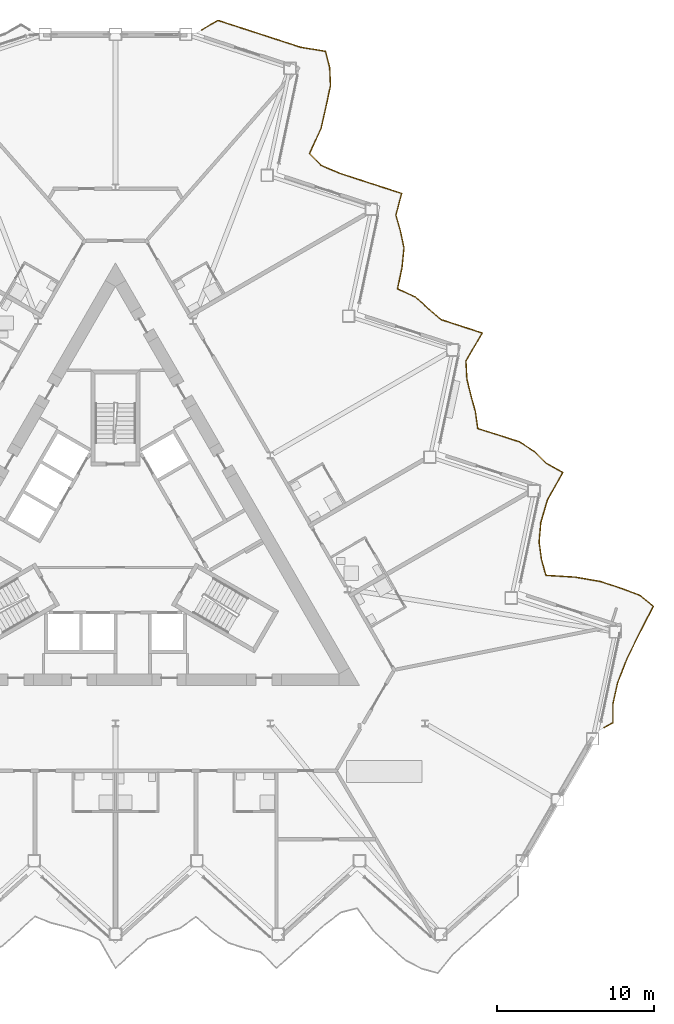
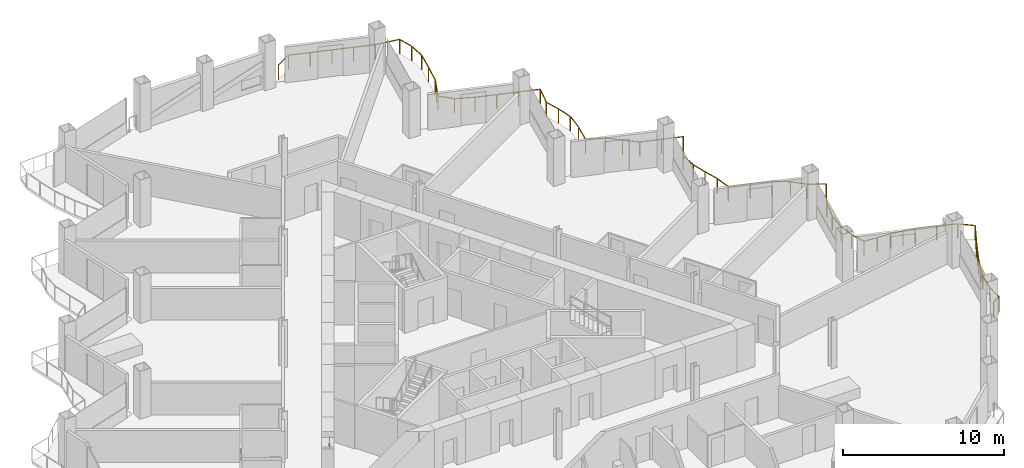
# One storey, part 21 of 23: 1 railing.
"""IFC4 building model written with IfcOpenShell, lengths in metres."""

from ifc_helpers import new_model, si_unit, direction, frame, origin, origin_2d, place, context, subcontext, project, spatial, circle, extrude, material, type_object, element, save


model = new_model("IFC4")

# Units and contexts
model_context = context("Model", 3, precision=1e-05, world=origin(), true_north=direction((0.0, 1.0)))
body_context = subcontext(model_context, "Body", "Model", "MODEL_VIEW")
ifc_project = project(units=[si_unit("LENGTHUNIT", "METRE"), si_unit("AREAUNIT", "SQUARE_METRE"), si_unit("VOLUMEUNIT", "CUBIC_METRE"), si_unit("PLANEANGLEUNIT", "RADIAN"), si_unit("MASSUNIT", "GRAM", prefix="KILO")], contexts=[model_context])

# Site, building, storey
site_placement = place(None, origin())
site = spatial("IfcSite", under=ifc_project, at=site_placement, CompositionType="ELEMENT")
building_placement = place(site_placement, origin())
building = spatial("IfcBuilding", under=site, at=building_placement, Name="Cormorant Prow Tower", CompositionType="ELEMENT")
storey_placement = place(building_placement, frame((0.0, 0.0, 172.800048828125)))
storey = spatial("IfcBuildingStorey", under=building, at=storey_placement, Name="L36", CompositionType="ELEMENT", Elevation=172.800048828125)

# Railing
ifc_material = material(Name="Aluminium 6063-T6", Category="aluminium")
railing_type = type_object("IfcRailingType", Name="Balcony guard 1100", PredefinedType="GUARDRAIL", material=ifc_material)
railing_placement = place(storey_placement, frame((31.031494140625, -11.619384765625, 0.0)))
element("IfcRailing", 1, at=railing_placement, inside=storey, type_object=railing_type, Name="Balcony guard ENE", PredefinedType="GUARDRAIL", context=body_context, shape_type="SweptSolid", body=[
    extrude(circle(Radius=0.02392578125, at=origin_2d()), frame((0.0, 0.0, 1.076171875), z_axis=(0.866204753408, 0.499689228594, 0.0), x_axis=(-0.499689228594, 0.866204753408, 0.0)), (0.0, 0.0, 1.0), 0.63623046875),
    extrude(circle(Radius=0.02392578125, at=origin_2d()), frame((0.551025390625, 0.31787109375, 1.076171875), z_axis=(0.001238900557, 0.999999232562, 0.0), x_axis=(-0.999999232562, 0.001238900557, 0.0)), (0.0, 0.0, 1.0), 1.182373046875),
    extrude(circle(Radius=0.02392578125, at=origin_2d()), frame((0.552490234375, 1.500244140625, 1.076171875), z_axis=(0.216837353632, 0.976207745344, 0.0), x_axis=(-0.976207745344, 0.216837353632, 0.0)), (0.0, 0.0, 1.0), 1.38818359375),
    extrude(circle(Radius=0.02392578125, at=origin_2d()), frame((0.853515625, 2.85546875, 1.076171875), z_axis=(0.363977820043, 0.931407615664, 0.0), x_axis=(-0.931407615664, 0.363977820043, 0.0)), (0.0, 0.0, 1.0), 1.637939453125),
    extrude(circle(Radius=0.02392578125, at=origin_2d()), frame((1.44970703125, 4.381103515625, 1.076171875), z_axis=(0.438820275915, 0.898574852444, 0.0), x_axis=(-0.898574852444, 0.438820275915, 0.0)), (0.0, 0.0, 1.0), 1.8310546875),
    extrude(circle(Radius=0.02392578125, at=origin_2d()), frame((2.253173828125, 6.0263671875, 1.076171875), z_axis=(0.456909757703, 0.889513054045, 0.0), x_axis=(-0.889513054045, 0.456909757703, 0.0)), (0.0, 0.0, 1.0), 1.888427734375),
    extrude(circle(Radius=0.02392578125, at=origin_2d()), frame((3.115966796875, 7.7060546875, 1.076171875), z_axis=(-0.768643216156, 0.639677736253, 0.0), x_axis=(-0.639677736253, -0.768643216156, 0.0)), (0.0, 0.0, 1.0), 1.09033203125),
    extrude(circle(Radius=0.02392578125, at=origin_2d()), frame((2.27783203125, 8.403564453125, 1.076171875), z_axis=(-0.936101707301, 0.351729432361, 0.0), x_axis=(-0.351729432361, -0.936101707301, 0.0)), (0.0, 0.0, 1.0), 1.324462890625),
    extrude(circle(Radius=0.02392578125, at=origin_2d()), frame((1.0380859375, 8.869384765625, 1.076171875), z_axis=(-0.951084882537, 0.308929678422, 0.0), x_axis=(-0.308929678422, -0.951084882537, 0.0)), (0.0, 0.0, 1.0), 1.376708984375),
    extrude(circle(Radius=0.02392578125, at=origin_2d()), frame((-0.271240234375, 9.294677734375, 1.076171875), z_axis=(-0.985748137908, 0.16822784731, 0.0), x_axis=(-0.16822784731, -0.985748137908, 0.0)), (0.0, 0.0, 1.0), 1.602294921875),
    extrude(circle(Radius=0.02392578125, at=origin_2d()), frame((-1.8505859375, 9.564208984375, 1.076171875), z_axis=(-0.998130705632, 0.061115419294, 0.0), x_axis=(-0.061115419294, -0.998130705632, 0.0)), (0.0, 0.0, 1.0), 1.853515625),
    extrude(circle(Radius=0.02392578125, at=origin_2d()), frame((-3.70068359375, 9.677490234375, 1.076171875), z_axis=(-0.267512799618, 0.963554306742, 0.0), x_axis=(-0.963554306742, -0.267512799618, 0.0)), (0.0, 0.0, 1.0), 1.056884765625),
    extrude(circle(Radius=0.02392578125, at=origin_2d()), frame((-3.9833984375, 10.69580078125, 1.076171875), z_axis=(-0.134246078402, 0.990948026101, 0.0), x_axis=(-0.990948026101, -0.134246078402, 0.0)), (0.0, 0.0, 1.0), 1.105712890625),
    extrude(circle(Radius=0.02392578125, at=origin_2d()), frame((-4.1318359375, 11.79150390625, 1.076171875), z_axis=(0.087734135506, 0.99614392608, 0.0), x_axis=(-0.99614392608, 0.087734135506, 0.0)), (0.0, 0.0, 1.0), 1.24951171875),
    extrude(circle(Radius=0.02392578125, at=origin_2d()), frame((-4.022216796875, 13.0361328125, 1.076171875), z_axis=(0.281996979435, 0.959415292556, 0.0), x_axis=(-0.959415292556, 0.281996979435, 0.0)), (0.0, 0.0, 1.0), 1.483154296875),
    extrude(circle(Radius=0.02392578125, at=origin_2d()), frame((-3.60400390625, 14.458984375, 1.076171875), z_axis=(0.488149709295, 0.872759910465, 0.0), x_axis=(-0.872759910465, 0.488149709295, 0.0)), (0.0, 0.0, 1.0), 1.99951171875),
    extrude(circle(Radius=0.02392578125, at=origin_2d()), frame((-2.6279296875, 16.2041015625, 1.076171875), z_axis=(-0.872019132688, 0.489471789, 0.0), x_axis=(-0.489471789, -0.872019132688, 0.0)), (0.0, 0.0, 1.0), 1.189697265625),
    extrude(circle(Radius=0.02392578125, at=origin_2d()), frame((-3.665283203125, 16.786376953125, 1.076171875), z_axis=(-0.710893849194, 0.703299321184, 0.0), x_axis=(-0.703299321184, -0.710893849194, 0.0)), (0.0, 0.0, 1.0), 1.060791015625),
    extrude(circle(Radius=0.02392578125, at=origin_2d()), frame((-4.41943359375, 17.532470703125, 1.076171875), z_axis=(-0.840854315224, 0.541261508487, 0.0), x_axis=(-0.541261508487, -0.840854315224, 0.0)), (0.0, 0.0, 1.0), 1.150634765625),
    extrude(circle(Radius=0.02392578125, at=origin_2d()), frame((-5.386962890625, 18.1552734375, 1.076171875), z_axis=(-0.951032765546, 0.309090082108, 0.0), x_axis=(-0.309090082108, -0.951032765546, 0.0)), (0.0, 0.0, 1.0), 1.376708984375),
    extrude(circle(Radius=0.02392578125, at=origin_2d()), frame((-6.6962890625, 18.580810546875, 1.076171875), z_axis=(-0.954367449084, 0.298634847478, 0.0), x_axis=(-0.298634847478, -0.954367449084, 0.0)), (0.0, 0.0, 1.0), 1.390625),
    extrude(circle(Radius=0.02392578125, at=origin_2d()), frame((-8.0234375, 18.99609375, 1.076171875), z_axis=(-0.142227709414, 0.989833965206, 0.0), x_axis=(-0.989833965206, -0.142227709414, 0.0)), (0.0, 0.0, 1.0), 1.10205078125),
    extrude(circle(Radius=0.02392578125, at=origin_2d()), frame((-8.18017578125, 20.0869140625, 1.076171875), z_axis=(-0.269741378874, 0.962932805819, 0.0), x_axis=(-0.962932805819, -0.269741378874, 0.0)), (0.0, 0.0, 1.0), 1.05615234375),
    extrude(circle(Radius=0.02392578125, at=origin_2d()), frame((-8.465087890625, 21.10400390625, 1.076171875), z_axis=(-0.234394392952, 0.972141588737, 0.0), x_axis=(-0.972141588737, -0.234394392952, 0.0)), (0.0, 0.0, 1.0), 1.066650390625),
    extrude(circle(Radius=0.02392578125, at=origin_2d()), frame((-8.715087890625, 22.140869140625, 1.076171875), z_axis=(-0.053831909847, 0.998550011508, 0.0), x_axis=(-0.998550011508, -0.053831909847, 0.0)), (0.0, 0.0, 1.0), 1.1474609375),
    extrude(circle(Radius=0.02392578125, at=origin_2d()), frame((-8.77685546875, 23.28662109375, 1.076171875), z_axis=(0.5024161652, 0.864625928911, 0.0), x_axis=(-0.864625928911, 0.5024161652, 0.0)), (0.0, 0.0, 1.0), 2.056396484375),
    extrude(circle(Radius=0.02392578125, at=origin_2d()), frame((-7.74365234375, 25.064697265625, 1.076171875), z_axis=(-0.951084882537, 0.308929678422, 0.0), x_axis=(-0.308929678422, -0.951084882537, 0.0)), (0.0, 0.0, 1.0), 1.376708984375),
    extrude(circle(Radius=0.02392578125, at=origin_2d()), frame((-9.052978515625, 25.489990234375, 1.076171875), z_axis=(-0.951032765546, 0.309090082108, 0.0), x_axis=(-0.309090082108, -0.951032765546, 0.0)), (0.0, 0.0, 1.0), 1.376708984375),
    extrude(circle(Radius=0.02392578125, at=origin_2d()), frame((-10.3623046875, 25.91552734375, 1.076171875), z_axis=(-0.755391403795, 0.655273856546, 0.0), x_axis=(-0.655273856546, -0.755391403795, 0.0)), (0.0, 0.0, 1.0), 1.082763671875),
    extrude(circle(Radius=0.02392578125, at=origin_2d()), frame((-11.18017578125, 26.625, 1.076171875), z_axis=(-0.742288433419, 0.67008050383, 0.0), x_axis=(-0.67008050383, -0.742288433419, 0.0)), (0.0, 0.0, 1.0), 1.0751953125),
    extrude(circle(Radius=0.02392578125, at=origin_2d()), frame((-11.978271484375, 27.345458984375, 1.076171875), z_axis=(-0.909793302603, 0.415061617762, 0.0), x_axis=(-0.415061617762, -0.909793302603, 0.0)), (0.0, 0.0, 1.0), 1.25634765625),
    extrude(circle(Radius=0.02392578125, at=origin_2d()), frame((-13.121337890625, 27.866943359375, 1.076171875), z_axis=(0.207833305176, 0.978164258834, 0.0), x_axis=(-0.978164258834, 0.207833305176, 0.0)), (0.0, 0.0, 1.0), 1.376708984375),
    extrude(circle(Radius=0.02392578125, at=origin_2d()), frame((-12.835205078125, 29.213623046875, 1.076171875), z_axis=(0.099407789169, 0.995046778525, 0.0), x_axis=(-0.995046778525, 0.099407789169, 0.0)), (0.0, 0.0, 1.0), 1.260009765625),
    extrude(circle(Radius=0.02392578125, at=origin_2d()), frame((-12.7099609375, 30.46728515625, 1.076171875), z_axis=(-0.207405502784, 0.978255057444, 0.0), x_axis=(-0.978255057444, -0.207405502784, 0.0)), (0.0, 0.0, 1.0), 1.075927734375),
    extrude(circle(Radius=0.02392578125, at=origin_2d()), frame((-12.93310546875, 31.519775390625, 1.076171875), z_axis=(-0.27621920783, 0.961094661948, 0.0), x_axis=(-0.961094661948, -0.27621920783, 0.0)), (0.0, 0.0, 1.0), 1.054443359375),
    extrude(circle(Radius=0.02392578125, at=origin_2d()), frame((-13.224365234375, 32.533203125, 1.076171875), z_axis=(0.253616412418, 0.967304871978, 0.0), x_axis=(-0.967304871978, 0.253616412418, 0.0)), (0.0, 0.0, 1.0), 1.439208984375),
    extrude(circle(Radius=0.02392578125, at=origin_2d()), frame((-12.859375, 33.92529296875, 1.076171875), z_axis=(-0.951032765546, 0.309090082108, 0.0), x_axis=(-0.309090082108, -0.951032765546, 0.0)), (0.0, 0.0, 1.0), 1.376708984375),
    extrude(circle(Radius=0.02392578125, at=origin_2d()), frame((-14.168701171875, 34.350830078125, 1.076171875), z_axis=(-0.951084882537, 0.308929678422, 0.0), x_axis=(-0.308929678422, -0.951084882537, 0.0)), (0.0, 0.0, 1.0), 1.376708984375),
    extrude(circle(Radius=0.02392578125, at=origin_2d()), frame((-15.47802734375, 34.776123046875, 1.076171875), z_axis=(-0.951032765546, 0.309090082108, 0.0), x_axis=(-0.309090082108, -0.951032765546, 0.0)), (0.0, 0.0, 1.0), 1.376708984375),
    extrude(circle(Radius=0.02392578125, at=origin_2d()), frame((-16.787353515625, 35.20166015625, 1.076171875), z_axis=(-0.920548561993, 0.390628141603, 0.0), x_axis=(-0.390628141603, -0.920548561993, 0.0)), (0.0, 0.0, 1.0), 1.28125),
    extrude(circle(Radius=0.02392578125, at=origin_2d()), frame((-17.966796875, 35.7021484375, 1.076171875), z_axis=(-0.698618454401, 0.715494413095, 0.0), x_axis=(-0.715494413095, -0.698618454401, 0.0)), (0.0, 0.0, 1.0), 1.05615234375),
    extrude(circle(Radius=0.02392578125, at=origin_2d()), frame((-18.70458984375, 36.457763671875, 1.076171875), z_axis=(0.41513789658, 0.909758499176, 0.0), x_axis=(-0.909758499176, 0.41513789658, 0.0)), (0.0, 0.0, 1.0), 1.76318359375),
    extrude(circle(Radius=0.02392578125, at=origin_2d()), frame((-17.97265625, 38.061767578125, 1.076171875), z_axis=(0.221083468792, 0.975254889671, 0.0), x_axis=(-0.975254889671, 0.221083468792, 0.0)), (0.0, 0.0, 1.0), 1.3935546875),
    extrude(circle(Radius=0.02392578125, at=origin_2d()), frame((-17.66455078125, 39.4208984375, 1.076171875), z_axis=(0.208002968159, 0.978128194685, 0.0), x_axis=(-0.978128194685, 0.208002968159, 0.0)), (0.0, 0.0, 1.0), 1.376708984375),
    extrude(circle(Radius=0.02392578125, at=origin_2d()), frame((-17.378173828125, 40.767578125, 1.076171875), z_axis=(-0.042950586858, 0.999077197762, 0.0), x_axis=(-0.999077197762, -0.042950586858, 0.0)), (0.0, 0.0, 1.0), 1.15380859375),
    extrude(circle(Radius=0.02392578125, at=origin_2d()), frame((-17.427734375, 41.92041015625, 1.076171875), z_axis=(-0.252646693234, 0.967558602048, 0.0), x_axis=(-0.967558602048, -0.252646693234, 0.0)), (0.0, 0.0, 1.0), 1.06103515625),
    extrude(circle(Radius=0.02392578125, at=origin_2d()), frame((-17.69580078125, 42.947021484375, 1.076171875), z_axis=(-0.986430773558, 0.16417773594, 0.0), x_axis=(-0.16417773594, -0.986430773558, 0.0)), (0.0, 0.0, 1.0), 1.610595703125),
    extrude(circle(Radius=0.02392578125, at=origin_2d()), frame((-19.284423828125, 43.21142578125, 1.076171875), z_axis=(-0.951032765546, 0.309090082108, 0.0), x_axis=(-0.309090082108, -0.951032765546, 0.0)), (0.0, 0.0, 1.0), 1.376708984375),
    extrude(circle(Radius=0.02392578125, at=origin_2d()), frame((-20.59375, 43.636962890625, 1.076171875), z_axis=(-0.951032765546, 0.309090082108, 0.0), x_axis=(-0.309090082108, -0.951032765546, 0.0)), (0.0, 0.0, 1.0), 1.376708984375),
    extrude(circle(Radius=0.02392578125, at=origin_2d()), frame((-21.903076171875, 44.0625, 1.076171875), z_axis=(-0.951084882537, 0.308929678422, 0.0), x_axis=(-0.308929678422, -0.951084882537, 0.0)), (0.0, 0.0, 1.0), 1.376708984375),
    extrude(circle(Radius=0.02392578125, at=origin_2d()), frame((-23.21240234375, 44.48779296875, 1.076171875), z_axis=(-0.951101803336, 0.308877580427, 0.0), x_axis=(-0.308877580427, -0.951101803336, 0.0)), (0.0, 0.0, 1.0), 1.376953125),
    extrude(circle(Radius=0.02392578125, at=origin_2d()), frame((-24.52197265625, 44.9130859375, 1.076171875), z_axis=(-0.866092288191, -0.499884134912, 0.0), x_axis=(0.499884134912, -0.866092288191, 0.0)), (0.0, 0.0, 1.0), 1.219970703125),
    extrude(circle(Radius=0.02099609375, at=origin_2d()), origin(), (0.0, 0.0, 1.0), 1.052001953125),
    extrude(circle(Radius=0.02099609375, at=origin_2d()), frame((0.551025390625, 0.31787109375, 0.0)), (0.0, 0.0, 1.0), 1.052001953125),
    extrude(circle(Radius=0.02099609375, at=origin_2d()), frame((0.552490234375, 1.500244140625, 0.0)), (0.0, 0.0, 1.0), 1.052001953125),
    extrude(circle(Radius=0.02099609375, at=origin_2d()), frame((0.853515625, 2.85546875, 0.0)), (0.0, 0.0, 1.0), 1.052001953125),
    extrude(circle(Radius=0.02099609375, at=origin_2d()), frame((1.151611328125, 3.6181640625, 0.0)), (0.0, 0.0, 1.0), 1.052001953125),
    extrude(circle(Radius=0.02099609375, at=origin_2d()), frame((1.44970703125, 4.381103515625, 0.0)), (0.0, 0.0, 1.0), 1.052001953125),
    extrude(circle(Radius=0.02099609375, at=origin_2d()), frame((1.8515625, 5.20361328125, 0.0)), (0.0, 0.0, 1.0), 1.052001953125),
    extrude(circle(Radius=0.02099609375, at=origin_2d()), frame((2.253173828125, 6.0263671875, 0.0)), (0.0, 0.0, 1.0), 1.052001953125),
    extrude(circle(Radius=0.02099609375, at=origin_2d()), frame((2.6845703125, 6.8662109375, 0.0)), (0.0, 0.0, 1.0), 1.052001953125),
    extrude(circle(Radius=0.02099609375, at=origin_2d()), frame((3.115966796875, 7.7060546875, 0.0)), (0.0, 0.0, 1.0), 1.052001953125),
    extrude(circle(Radius=0.02099609375, at=origin_2d()), frame((2.27783203125, 8.403564453125, 0.0)), (0.0, 0.0, 1.0), 1.052001953125),
    extrude(circle(Radius=0.02099609375, at=origin_2d()), frame((1.0380859375, 8.869384765625, 0.0)), (0.0, 0.0, 1.0), 1.052001953125),
    extrude(circle(Radius=0.02099609375, at=origin_2d()), frame((-0.271240234375, 9.294677734375, 0.0)), (0.0, 0.0, 1.0), 1.052001953125),
    extrude(circle(Radius=0.02099609375, at=origin_2d()), frame((-1.06103515625, 9.429443359375, 0.0)), (0.0, 0.0, 1.0), 1.052001953125),
    extrude(circle(Radius=0.02099609375, at=origin_2d()), frame((-1.8505859375, 9.564208984375, 0.0)), (0.0, 0.0, 1.0), 1.052001953125),
    extrude(circle(Radius=0.02099609375, at=origin_2d()), frame((-2.775634765625, 9.620849609375, 0.0)), (0.0, 0.0, 1.0), 1.052001953125),
    extrude(circle(Radius=0.02099609375, at=origin_2d()), frame((-3.70068359375, 9.677490234375, 0.0)), (0.0, 0.0, 1.0), 1.052001953125),
    extrude(circle(Radius=0.02099609375, at=origin_2d()), frame((-3.9833984375, 10.69580078125, 0.0)), (0.0, 0.0, 1.0), 1.052001953125),
    extrude(circle(Radius=0.02099609375, at=origin_2d()), frame((-4.1318359375, 11.79150390625, 0.0)), (0.0, 0.0, 1.0), 1.052001953125),
    extrude(circle(Radius=0.02099609375, at=origin_2d()), frame((-4.022216796875, 13.0361328125, 0.0)), (0.0, 0.0, 1.0), 1.052001953125),
    extrude(circle(Radius=0.02099609375, at=origin_2d()), frame((-3.60400390625, 14.458984375, 0.0)), (0.0, 0.0, 1.0), 1.052001953125),
    extrude(circle(Radius=0.02099609375, at=origin_2d()), frame((-3.115966796875, 15.33154296875, 0.0)), (0.0, 0.0, 1.0), 1.052001953125),
    extrude(circle(Radius=0.02099609375, at=origin_2d()), frame((-2.6279296875, 16.2041015625, 0.0)), (0.0, 0.0, 1.0), 1.052001953125),
    extrude(circle(Radius=0.02099609375, at=origin_2d()), frame((-3.665283203125, 16.786376953125, 0.0)), (0.0, 0.0, 1.0), 1.052001953125),
    extrude(circle(Radius=0.02099609375, at=origin_2d()), frame((-4.41943359375, 17.532470703125, 0.0)), (0.0, 0.0, 1.0), 1.052001953125),
    extrude(circle(Radius=0.02099609375, at=origin_2d()), frame((-5.386962890625, 18.1552734375, 0.0)), (0.0, 0.0, 1.0), 1.052001953125),
    extrude(circle(Radius=0.02099609375, at=origin_2d()), frame((-6.6962890625, 18.580810546875, 0.0)), (0.0, 0.0, 1.0), 1.052001953125),
    extrude(circle(Radius=0.02099609375, at=origin_2d()), frame((-8.0234375, 18.99609375, 0.0)), (0.0, 0.0, 1.0), 1.052001953125),
    extrude(circle(Radius=0.02099609375, at=origin_2d()), frame((-8.18017578125, 20.0869140625, 0.0)), (0.0, 0.0, 1.0), 1.052001953125),
    extrude(circle(Radius=0.02099609375, at=origin_2d()), frame((-8.465087890625, 21.10400390625, 0.0)), (0.0, 0.0, 1.0), 1.052001953125),
    extrude(circle(Radius=0.02099609375, at=origin_2d()), frame((-8.715087890625, 22.140869140625, 0.0)), (0.0, 0.0, 1.0), 1.052001953125),
    extrude(circle(Radius=0.02099609375, at=origin_2d()), frame((-8.77685546875, 23.28662109375, 0.0)), (0.0, 0.0, 1.0), 1.052001953125),
    extrude(circle(Radius=0.02099609375, at=origin_2d()), frame((-8.26025390625, 24.17578125, 0.0)), (0.0, 0.0, 1.0), 1.052001953125),
    extrude(circle(Radius=0.02099609375, at=origin_2d()), frame((-7.74365234375, 25.064697265625, 0.0)), (0.0, 0.0, 1.0), 1.052001953125),
    extrude(circle(Radius=0.02099609375, at=origin_2d()), frame((-9.052978515625, 25.489990234375, 0.0)), (0.0, 0.0, 1.0), 1.052001953125),
    extrude(circle(Radius=0.02099609375, at=origin_2d()), frame((-10.3623046875, 25.91552734375, 0.0)), (0.0, 0.0, 1.0), 1.052001953125),
    extrude(circle(Radius=0.02099609375, at=origin_2d()), frame((-11.18017578125, 26.625, 0.0)), (0.0, 0.0, 1.0), 1.052001953125),
    extrude(circle(Radius=0.02099609375, at=origin_2d()), frame((-11.978271484375, 27.345458984375, 0.0)), (0.0, 0.0, 1.0), 1.052001953125),
    extrude(circle(Radius=0.02099609375, at=origin_2d()), frame((-13.121337890625, 27.866943359375, 0.0)), (0.0, 0.0, 1.0), 1.052001953125),
    extrude(circle(Radius=0.02099609375, at=origin_2d()), frame((-12.835205078125, 29.213623046875, 0.0)), (0.0, 0.0, 1.0), 1.052001953125),
    extrude(circle(Radius=0.02099609375, at=origin_2d()), frame((-12.7099609375, 30.46728515625, 0.0)), (0.0, 0.0, 1.0), 1.052001953125),
    extrude(circle(Radius=0.02099609375, at=origin_2d()), frame((-12.93310546875, 31.519775390625, 0.0)), (0.0, 0.0, 1.0), 1.052001953125),
    extrude(circle(Radius=0.02099609375, at=origin_2d()), frame((-13.224365234375, 32.533203125, 0.0)), (0.0, 0.0, 1.0), 1.052001953125),
    extrude(circle(Radius=0.02099609375, at=origin_2d()), frame((-12.859375, 33.92529296875, 0.0)), (0.0, 0.0, 1.0), 1.052001953125),
    extrude(circle(Radius=0.02099609375, at=origin_2d()), frame((-14.168701171875, 34.350830078125, 0.0)), (0.0, 0.0, 1.0), 1.052001953125),
    extrude(circle(Radius=0.02099609375, at=origin_2d()), frame((-15.47802734375, 34.776123046875, 0.0)), (0.0, 0.0, 1.0), 1.052001953125),
    extrude(circle(Radius=0.02099609375, at=origin_2d()), frame((-16.787353515625, 35.20166015625, 0.0)), (0.0, 0.0, 1.0), 1.052001953125),
    extrude(circle(Radius=0.02099609375, at=origin_2d()), frame((-17.966796875, 35.7021484375, 0.0)), (0.0, 0.0, 1.0), 1.052001953125),
    extrude(circle(Radius=0.02099609375, at=origin_2d()), frame((-18.70458984375, 36.457763671875, 0.0)), (0.0, 0.0, 1.0), 1.052001953125),
    extrude(circle(Radius=0.02099609375, at=origin_2d()), frame((-18.338623046875, 37.259765625, 0.0)), (0.0, 0.0, 1.0), 1.052001953125),
    extrude(circle(Radius=0.02099609375, at=origin_2d()), frame((-17.97265625, 38.061767578125, 0.0)), (0.0, 0.0, 1.0), 1.052001953125),
    extrude(circle(Radius=0.02099609375, at=origin_2d()), frame((-17.66455078125, 39.4208984375, 0.0)), (0.0, 0.0, 1.0), 1.052001953125),
    extrude(circle(Radius=0.02099609375, at=origin_2d()), frame((-17.378173828125, 40.767578125, 0.0)), (0.0, 0.0, 1.0), 1.052001953125),
    extrude(circle(Radius=0.02099609375, at=origin_2d()), frame((-17.427734375, 41.92041015625, 0.0)), (0.0, 0.0, 1.0), 1.052001953125),
    extrude(circle(Radius=0.02099609375, at=origin_2d()), frame((-17.69580078125, 42.947021484375, 0.0)), (0.0, 0.0, 1.0), 1.052001953125),
    extrude(circle(Radius=0.02099609375, at=origin_2d()), frame((-18.490234375, 43.0791015625, 0.0)), (0.0, 0.0, 1.0), 1.052001953125),
    extrude(circle(Radius=0.02099609375, at=origin_2d()), frame((-19.284423828125, 43.21142578125, 0.0)), (0.0, 0.0, 1.0), 1.052001953125),
    extrude(circle(Radius=0.02099609375, at=origin_2d()), frame((-20.59375, 43.636962890625, 0.0)), (0.0, 0.0, 1.0), 1.052001953125),
    extrude(circle(Radius=0.02099609375, at=origin_2d()), frame((-21.903076171875, 44.0625, 0.0)), (0.0, 0.0, 1.0), 1.052001953125),
    extrude(circle(Radius=0.02099609375, at=origin_2d()), frame((-23.21240234375, 44.48779296875, 0.0)), (0.0, 0.0, 1.0), 1.052001953125),
    extrude(circle(Radius=0.02099609375, at=origin_2d()), frame((-24.52197265625, 44.9130859375, 0.0)), (0.0, 0.0, 1.0), 1.052001953125),
    extrude(circle(Radius=0.02099609375, at=origin_2d()), frame((-25.57861328125, 44.30322265625, 0.0)), (0.0, 0.0, 1.0), 1.052001953125),
])

save(model, "model.ifc")
